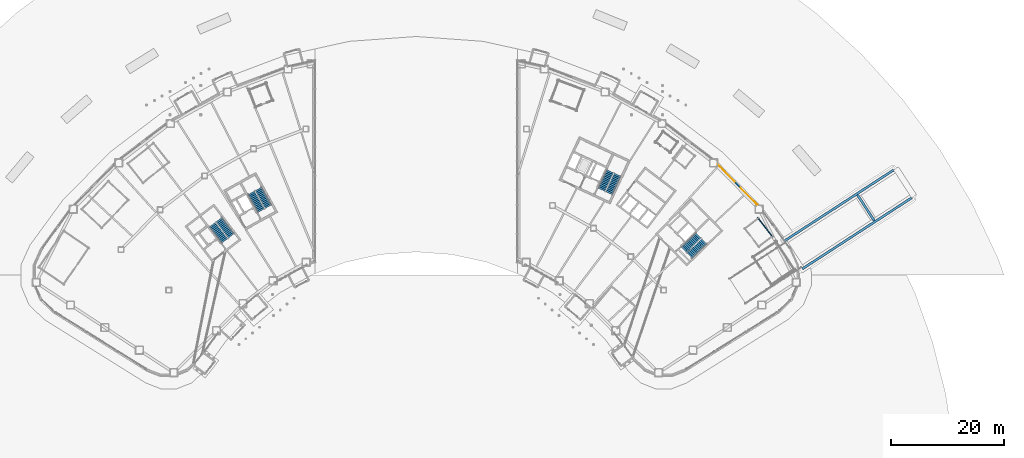
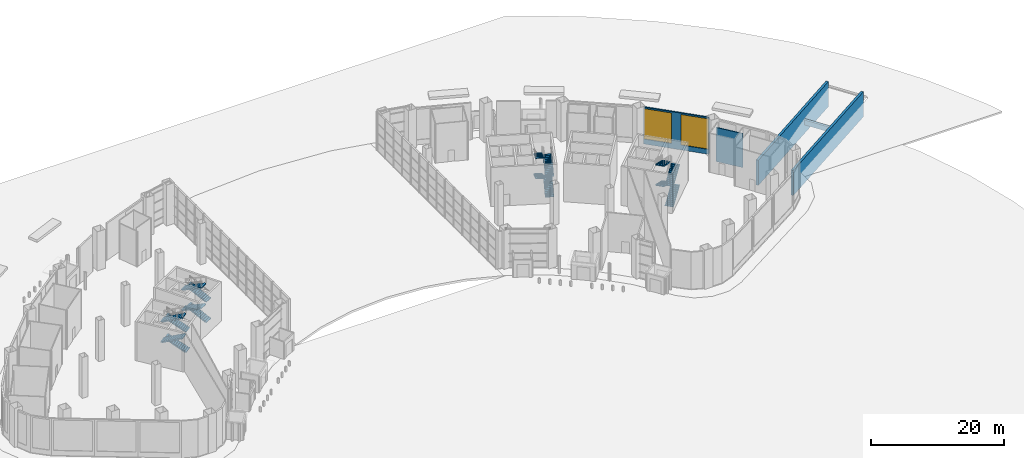
# One storey, part 36 of 45: 16 stair flights, 5 walls, 2 windows, 2 openings, 4 elements without a shape of their own.
"""IFC4 building model written with IfcOpenShell, lengths in metres."""

from ifc_helpers import new_model, si_unit, direction, frame, frame_2d, origin, place, context, subcontext, project, spatial, polyline, rectangle, outline, extrude, material, layer, layer_set, type_object, element, fill, aggregate, save


model = new_model("IFC4")

# Units and contexts
model_context = context("Model", 3, precision=1e-05, world=origin(), true_north=direction((0.0, 1.0)))
body_context = subcontext(model_context, "Body", "Model", "MODEL_VIEW")
ifc_project = project(units=[si_unit("LENGTHUNIT", "METRE"), si_unit("AREAUNIT", "SQUARE_METRE"), si_unit("VOLUMEUNIT", "CUBIC_METRE"), si_unit("PLANEANGLEUNIT", "RADIAN"), si_unit("MASSUNIT", "GRAM", prefix="KILO")], contexts=[model_context])

# Site, building, storey
site_placement = place(None, origin())
site = spatial("IfcSite", under=ifc_project, at=site_placement, CompositionType="ELEMENT")
building_placement = place(site_placement, origin())
building = spatial("IfcBuilding", under=site, at=building_placement, Name="Tuul Gate Civic Tower", CompositionType="ELEMENT")
storey_placement = place(building_placement, origin())
storey = spatial("IfcBuildingStorey", under=building, at=storey_placement, Name="Level 00", CompositionType="ELEMENT", Elevation=0.0)

# Wall, openings, windows
ifc_material_1 = material(Name="Precast concrete C40/50", Category="concrete")
ifc_layer_1 = layer(ifc_material_1, 0.25)
ifc_layer_set_1 = layer_set([ifc_layer_1], Name="Precast concrete C40/50")
wall_type_1 = type_object("IfcWallType", Name="External wall", PredefinedType="STANDARD", material=ifc_layer_set_1)
wall_1_placement = place(storey_placement, frame((60.72998046875, -7.6279296875, 0.0), z_axis=(0.0, 0.0, 1.0), x_axis=(-0.700010487511, 0.714132562886, 0.0)))
wall_1 = element("IfcWall", 1, at=wall_1_placement, inside=storey, type_object=wall_type_1, Name="External wall", PredefinedType="STANDARD", context=body_context, shape_type="SweptSolid", body=[
    extrude(rectangle(XDim=10.217041015625, YDim=0.25, at=frame_2d((5.1083984375, 0.0))), origin(), (0.0, 0.0, 1.0), 6.75),
])
opening_1_placement = place(wall_1_placement, frame((0.05908203125, 0.0, 0.89990234375)))
opening_1 = element("IfcOpeningElement", 2, at=opening_1_placement, cuts=wall_1, Name="Opening W6", PredefinedType="OPENING", context=body_context, shape_type="SweptSolid", body=[
    extrude(rectangle(XDim=4.300048828125, YDim=5.60009765625, at=frame_2d((2.14990234375, 2.800048828125))), frame((0.0, 0.135009765625, 0.0), z_axis=(0.0, -1.0, 0.0), x_axis=(1.0, 0.0, 0.0)), (0.0, 0.0, 1.0), 0.27001953125),
])
opening_2_placement = place(wall_1_placement, frame((5.864501953125, 0.0, 0.89990234375)))
opening_2 = element("IfcOpeningElement", 3, at=opening_2_placement, cuts=wall_1, Name="Opening W6", PredefinedType="OPENING", context=body_context, shape_type="SweptSolid", body=[
    extrude(rectangle(XDim=4.300048828125, YDim=5.60009765625, at=frame_2d((2.14990234375, 2.800048828125))), frame((0.0, 0.135009765625, 0.0), z_axis=(0.0, -1.0, 0.0), x_axis=(1.0, 0.0, 0.0)), (0.0, 0.0, 1.0), 0.27001953125),
])
ifc_material_2 = material(Name="Glass", Category="glass")
window_type = type_object("IfcWindowType", Name="Window W6 4300 x 5600", PartitioningType="SINGLE_PANEL", PredefinedType="WINDOW", material=ifc_material_2)
window_1_placement = place(opening_1_placement, origin())
window_1 = element("IfcWindow", 4, at=window_1_placement, inside=storey, type_object=window_type, Name="Window", OverallHeight=5.60009765625, OverallWidth=4.300048828125, PartitioningType="SINGLE_PANEL", PredefinedType="WINDOW", context=body_context, shape_type="SweptSolid", body=[
    extrude(rectangle(XDim=4.300048828125, YDim=5.60009765625, at=frame_2d((2.14990234375, 2.800048828125))), frame((0.0, 0.030029296875, 0.0), z_axis=(0.0, -1.0, 0.0), x_axis=(1.0, 0.0, 0.0)), (0.0, 0.0, 1.0), 0.06005859375),
])
fill(opening_1, window_1)
window_2_placement = place(opening_2_placement, origin())
window_2 = element("IfcWindow", 5, at=window_2_placement, inside=storey, type_object=window_type, Name="Window", OverallHeight=5.60009765625, OverallWidth=4.300048828125, PartitioningType="SINGLE_PANEL", PredefinedType="WINDOW", context=body_context, shape_type="SweptSolid", body=[
    extrude(rectangle(XDim=4.300048828125, YDim=5.60009765625, at=frame_2d((2.14990234375, 2.800048828125))), frame((0.0, 0.030029296875, 0.0), z_axis=(0.0, -1.0, 0.0), x_axis=(1.0, 0.0, 0.0)), (0.0, 0.0, 1.0), 0.06005859375),
])
fill(opening_2, window_2)

# Walls
ifc_material_3 = material(Name="Concrete block", Category="concrete")
ifc_layer_2 = layer(ifc_material_3, 0.14990234375)
ifc_layer_set_2 = layer_set([ifc_layer_2], Name="Concrete block")
wall_type_2 = type_object("IfcWallType", Name="Ground floor room wall 6250 HIGH", PredefinedType="PARTITIONING", material=ifc_layer_set_2)
wall_2_placement = place(storey_placement, frame((60.6953125, -9.819580078125, 0.0), z_axis=(0.0, 0.0, 1.0), x_axis=(0.615625526627, -0.788038838488, 0.0)))
element("IfcWall", 6, at=wall_2_placement, inside=storey, type_object=wall_type_2, Name="Room wall", PredefinedType="PARTITIONING", context=body_context, shape_type="SweptSolid", body=[
    extrude(rectangle(XDim=4.35009765625, YDim=0.14990234375, at=frame_2d((2.175048828125, 0.0))), origin(), (0.0, 0.0, 1.0), 6.25),
])
ifc_material_4 = material(Name="Concrete C40/50", Category="concrete")
ifc_layer_3 = layer(ifc_material_4, 0.39990234375)
ifc_layer_set_3 = layer_set([ifc_layer_3], Name="Concrete C40/50")
wall_type_3 = type_object("IfcWallType", Name="Ramp retaining wall", PredefinedType="SOLIDWALL", material=ifc_layer_set_3)
wall_3_placement = place(storey_placement, frame((88.09375, -6.30859375, -3.501708984375), z_axis=(0.0, 0.0, 1.0), x_axis=(-0.838667048018, -0.54464445519, 0.0)))
element("IfcWall", 7, at=wall_3_placement, inside=storey, type_object=wall_type_3, Name="Ramp retaining wall", PredefinedType="SOLIDWALL", context=body_context, shape_type="SweptSolid", body=[
    extrude(rectangle(XDim=23.2099609375, YDim=0.39990234375, at=frame_2d((11.60498046875, 0.0))), origin(), (0.0, 0.0, 1.0), 4.601806640625),
])
wall_4_placement = place(storey_placement, frame((84.88037109375, -1.360595703125, -3.501708984375), z_axis=(0.0, 0.0, 1.0), x_axis=(-0.838671852759, -0.54463705657, 0.0)))
element("IfcWall", 8, at=wall_4_placement, inside=storey, type_object=wall_type_3, Name="Ramp retaining wall", PredefinedType="SOLIDWALL", context=body_context, shape_type="SweptSolid", body=[
    extrude(rectangle(XDim=23.209716796875, YDim=0.39990234375, at=frame_2d((11.60498046875, 0.0))), origin(), (0.0, 0.0, 1.0), 4.601806640625),
])
ifc_material_5 = material(Name="Concrete C40/50", Category="concrete")
ifc_layer_4 = layer(ifc_material_5, 0.39990234375)
ifc_layer_set_4 = layer_set([ifc_layer_4], Name="Concrete C40/50")
wall_type_4 = type_object("IfcWallType", Name="Ramp support wall 900 HIGH", PredefinedType="SOLIDWALL", material=ifc_layer_set_4)
wall_5_placement = place(storey_placement, frame((78.448486328125, -5.779541015625, -1.865966796875), z_axis=(0.0, 0.0, 1.0), x_axis=(0.54466186671, -0.838655740427, 0.0)))
element("IfcWall", 9, at=wall_5_placement, inside=storey, type_object=wall_type_4, Name="Ramp support wall 900 HIGH", PredefinedType="SOLIDWALL", context=body_context, shape_type="SweptSolid", body=[
    extrude(rectangle(XDim=5.494140625, YDim=0.39990234375, at=frame_2d((2.7470703125, 0.0))), origin(), (0.0, 0.0, 1.0), 0.900146484375),
])

# Stair, stair flights
ifc_material_6 = material(Name="Concrete C40/50", Category="concrete")
stair_type = type_object("IfcStairType", Name="Exit stair", PredefinedType="HALF_TURN_STAIR", material=ifc_material_6)
stair_1_placement = place(storey_placement, origin())
stair_1 = element("IfcStair", 10, at=stair_1_placement, inside=storey, type_object=stair_type, Name="Level 00 ST-1", PredefinedType="HALF_TURN_STAIR")
ifc_material_7 = material(Name="Concrete C40/50", Category="concrete")
stair_flight_type = type_object("IfcStairFlightType", Name="Exit stair flight", PredefinedType="STRAIGHT", material=ifc_material_7)
stair_flight_1_placement = place(storey_placement, frame((-32.875244140625, -13.066650390625, 0.0), z_axis=(0.0, 0.0, 1.0), x_axis=(-0.605764474941, 0.795644016442, 0.0)))
stair_flight_1 = element("IfcStairFlight", 11, at=stair_flight_1_placement, type_object=stair_flight_type, Name="ST-1 flight 1", NumberOfRisers=13, NumberOfTreads=12, PredefinedType="STRAIGHT", RiserHeight=0.144230769, TreadLength=0.3, context=body_context, shape_type="SweptSolid", body=[
    extrude(outline(polyline([(0.0, 0.0), (0.0, 0.144287109375), (0.300048828125, 0.144287109375), (0.300048828125, 0.28857421875), (0.60009765625, 0.28857421875), (0.60009765625, 0.4326171875), (0.89990234375, 0.4326171875), (0.89990234375, 0.576904296875), (1.199951171875, 0.576904296875), (1.199951171875, 0.72119140625), (1.5, 0.72119140625), (1.5, 0.865478515625), (1.800048828125, 0.865478515625), (1.800048828125, 1.009521484375), (2.10009765625, 1.009521484375), (2.10009765625, 1.15380859375), (2.39990234375, 1.15380859375), (2.39990234375, 1.298095703125), (2.699951171875, 1.298095703125), (2.699951171875, 1.4423828125), (3.0, 1.4423828125), (3.0, 1.58642578125), (3.300048828125, 1.58642578125), (3.300048828125, 1.730712890625), (3.60009765625, 1.730712890625), (3.60009765625, 1.875), (3.60009765625, 1.564453125), (0.345947265625, 0.0), (0.0, 0.0)])), frame((0.0, 0.675048828125, 0.0), z_axis=(0.0, -1.0, 0.0), x_axis=(1.0, 0.0, 0.0)), (0.0, 0.0, 1.0), 1.35009765625),
])
stair_flight_2_placement = place(storey_placement, frame((-36.209716796875, -11.080810546875, 1.875), z_axis=(0.0, 0.0, 1.0), x_axis=(0.605764474941, -0.795644016442, 0.0)))
stair_flight_2 = element("IfcStairFlight", 12, at=stair_flight_2_placement, type_object=stair_flight_type, Name="ST-1 flight 2", NumberOfRisers=13, NumberOfTreads=12, PredefinedType="STRAIGHT", RiserHeight=0.144230769, TreadLength=0.3, context=body_context, shape_type="SweptSolid", body=[
    extrude(outline(polyline([(0.0, 0.0), (0.0, 0.144287109375), (0.300048828125, 0.144287109375), (0.300048828125, 0.28857421875), (0.60009765625, 0.28857421875), (0.60009765625, 0.4326171875), (0.89990234375, 0.4326171875), (0.89990234375, 0.576904296875), (1.199951171875, 0.576904296875), (1.199951171875, 0.72119140625), (1.5, 0.72119140625), (1.5, 0.865478515625), (1.800048828125, 0.865478515625), (1.800048828125, 1.009521484375), (2.10009765625, 1.009521484375), (2.10009765625, 1.15380859375), (2.39990234375, 1.15380859375), (2.39990234375, 1.298095703125), (2.699951171875, 1.298095703125), (2.699951171875, 1.4423828125), (3.0, 1.4423828125), (3.0, 1.58642578125), (3.300048828125, 1.58642578125), (3.300048828125, 1.730712890625), (3.60009765625, 1.730712890625), (3.60009765625, 1.875), (3.60009765625, 1.564453125), (0.345947265625, 0.0), (0.0, 0.0)])), frame((0.0, 0.675048828125, 0.0), z_axis=(0.0, -1.0, 0.0), x_axis=(1.0, 0.0, 0.0)), (0.0, 0.0, 1.0), 1.35009765625),
])
stair_flight_3_placement = place(storey_placement, frame((-32.875244140625, -13.066650390625, 3.75), z_axis=(0.0, 0.0, 1.0), x_axis=(-0.605764474941, 0.795644016442, 0.0)))
stair_flight_3 = element("IfcStairFlight", 13, at=stair_flight_3_placement, type_object=stair_flight_type, Name="ST-1 flight 3", NumberOfRisers=13, NumberOfTreads=12, PredefinedType="STRAIGHT", RiserHeight=0.144230769, TreadLength=0.3, context=body_context, shape_type="SweptSolid", body=[
    extrude(outline(polyline([(0.0, 0.0), (0.0, 0.144287109375), (0.300048828125, 0.144287109375), (0.300048828125, 0.28857421875), (0.60009765625, 0.28857421875), (0.60009765625, 0.4326171875), (0.89990234375, 0.4326171875), (0.89990234375, 0.576904296875), (1.199951171875, 0.576904296875), (1.199951171875, 0.72119140625), (1.5, 0.72119140625), (1.5, 0.865478515625), (1.800048828125, 0.865478515625), (1.800048828125, 1.009521484375), (2.10009765625, 1.009521484375), (2.10009765625, 1.15380859375), (2.39990234375, 1.15380859375), (2.39990234375, 1.298095703125), (2.699951171875, 1.298095703125), (2.699951171875, 1.4423828125), (3.0, 1.4423828125), (3.0, 1.58642578125), (3.300048828125, 1.58642578125), (3.300048828125, 1.730712890625), (3.60009765625, 1.730712890625), (3.60009765625, 1.875), (3.60009765625, 1.564453125), (0.345947265625, 0.0), (0.0, 0.0)])), frame((0.0, 0.675048828125, 0.0), z_axis=(0.0, -1.0, 0.0), x_axis=(1.0, 0.0, 0.0)), (0.0, 0.0, 1.0), 1.35009765625),
])
stair_flight_4_placement = place(storey_placement, frame((-36.209716796875, -11.080810546875, 5.625), z_axis=(0.0, 0.0, 1.0), x_axis=(0.605764474941, -0.795644016442, 0.0)))
stair_flight_4 = element("IfcStairFlight", 14, at=stair_flight_4_placement, type_object=stair_flight_type, Name="ST-1 flight 4", NumberOfRisers=13, NumberOfTreads=12, PredefinedType="STRAIGHT", RiserHeight=0.144230769, TreadLength=0.3, context=body_context, shape_type="SweptSolid", body=[
    extrude(outline(polyline([(0.0, 0.0), (0.0, 0.144287109375), (0.300048828125, 0.144287109375), (0.300048828125, 0.28857421875), (0.60009765625, 0.28857421875), (0.60009765625, 0.4326171875), (0.89990234375, 0.4326171875), (0.89990234375, 0.576904296875), (1.199951171875, 0.576904296875), (1.199951171875, 0.72119140625), (1.5, 0.72119140625), (1.5, 0.865478515625), (1.800048828125, 0.865478515625), (1.800048828125, 1.009521484375), (2.10009765625, 1.009521484375), (2.10009765625, 1.15380859375), (2.39990234375, 1.15380859375), (2.39990234375, 1.298095703125), (2.699951171875, 1.298095703125), (2.699951171875, 1.4423828125), (3.0, 1.4423828125), (3.0, 1.58642578125), (3.300048828125, 1.58642578125), (3.300048828125, 1.730712890625), (3.60009765625, 1.730712890625), (3.60009765625, 1.875), (3.60009765625, 1.564453125), (0.345947265625, 0.0), (0.0, 0.0)])), frame((0.0, 0.675048828125, 0.0), z_axis=(0.0, -1.0, 0.0), x_axis=(1.0, 0.0, 0.0)), (0.0, 0.0, 1.0), 1.35009765625),
])
aggregate(stair_1, [stair_flight_1, stair_flight_2, stair_flight_3, stair_flight_4])

stair_2_placement = place(storey_placement, origin())
stair_2 = element("IfcStair", 15, at=stair_2_placement, inside=storey, type_object=stair_type, Name="Level 00 ST-2", PredefinedType="HALF_TURN_STAIR")
stair_flight_5_placement = place(storey_placement, frame((-26.29150390625, -7.87646484375, 0.0), z_axis=(0.0, 0.0, 1.0), x_axis=(-0.484761763766, 0.874646232708, 0.0)))
stair_flight_5 = element("IfcStairFlight", 16, at=stair_flight_5_placement, type_object=stair_flight_type, Name="ST-2 flight 1", NumberOfRisers=13, NumberOfTreads=12, PredefinedType="STRAIGHT", RiserHeight=0.144230769, TreadLength=0.3, context=body_context, shape_type="SweptSolid", body=[
    extrude(outline(polyline([(0.0, 0.0), (0.0, 0.144287109375), (0.300048828125, 0.144287109375), (0.300048828125, 0.28857421875), (0.60009765625, 0.28857421875), (0.60009765625, 0.4326171875), (0.89990234375, 0.4326171875), (0.89990234375, 0.576904296875), (1.199951171875, 0.576904296875), (1.199951171875, 0.72119140625), (1.5, 0.72119140625), (1.5, 0.865478515625), (1.800048828125, 0.865478515625), (1.800048828125, 1.009521484375), (2.10009765625, 1.009521484375), (2.10009765625, 1.15380859375), (2.39990234375, 1.15380859375), (2.39990234375, 1.298095703125), (2.699951171875, 1.298095703125), (2.699951171875, 1.4423828125), (3.0, 1.4423828125), (3.0, 1.58642578125), (3.300048828125, 1.58642578125), (3.300048828125, 1.730712890625), (3.60009765625, 1.730712890625), (3.60009765625, 1.875), (3.60009765625, 1.564453125), (0.345947265625, 0.0), (0.0, 0.0)])), frame((0.0, 0.675048828125, 0.0), z_axis=(0.0, -1.0, 0.0), x_axis=(1.0, 0.0, 0.0)), (0.0, 0.0, 1.0), 1.35009765625),
])
stair_flight_6_placement = place(storey_placement, frame((-29.304931640625, -5.4306640625, 1.875), z_axis=(0.0, 0.0, 1.0), x_axis=(0.484761763766, -0.874646232708, 0.0)))
stair_flight_6 = element("IfcStairFlight", 17, at=stair_flight_6_placement, type_object=stair_flight_type, Name="ST-2 flight 2", NumberOfRisers=13, NumberOfTreads=12, PredefinedType="STRAIGHT", RiserHeight=0.144230769, TreadLength=0.3, context=body_context, shape_type="SweptSolid", body=[
    extrude(outline(polyline([(0.0, 0.0), (0.0, 0.144287109375), (0.300048828125, 0.144287109375), (0.300048828125, 0.28857421875), (0.60009765625, 0.28857421875), (0.60009765625, 0.4326171875), (0.89990234375, 0.4326171875), (0.89990234375, 0.576904296875), (1.199951171875, 0.576904296875), (1.199951171875, 0.72119140625), (1.5, 0.72119140625), (1.5, 0.865478515625), (1.800048828125, 0.865478515625), (1.800048828125, 1.009521484375), (2.10009765625, 1.009521484375), (2.10009765625, 1.15380859375), (2.39990234375, 1.15380859375), (2.39990234375, 1.298095703125), (2.699951171875, 1.298095703125), (2.699951171875, 1.4423828125), (3.0, 1.4423828125), (3.0, 1.58642578125), (3.300048828125, 1.58642578125), (3.300048828125, 1.730712890625), (3.60009765625, 1.730712890625), (3.60009765625, 1.875), (3.60009765625, 1.564453125), (0.345947265625, 0.0), (0.0, 0.0)])), frame((0.0, 0.675048828125, 0.0), z_axis=(0.0, -1.0, 0.0), x_axis=(1.0, 0.0, 0.0)), (0.0, 0.0, 1.0), 1.35009765625),
])
stair_flight_7_placement = place(storey_placement, frame((-26.29150390625, -7.87646484375, 3.75), z_axis=(0.0, 0.0, 1.0), x_axis=(-0.484761763766, 0.874646232708, 0.0)))
stair_flight_7 = element("IfcStairFlight", 18, at=stair_flight_7_placement, type_object=stair_flight_type, Name="ST-2 flight 3", NumberOfRisers=13, NumberOfTreads=12, PredefinedType="STRAIGHT", RiserHeight=0.144230769, TreadLength=0.3, context=body_context, shape_type="SweptSolid", body=[
    extrude(outline(polyline([(0.0, 0.0), (0.0, 0.144287109375), (0.300048828125, 0.144287109375), (0.300048828125, 0.28857421875), (0.60009765625, 0.28857421875), (0.60009765625, 0.4326171875), (0.89990234375, 0.4326171875), (0.89990234375, 0.576904296875), (1.199951171875, 0.576904296875), (1.199951171875, 0.72119140625), (1.5, 0.72119140625), (1.5, 0.865478515625), (1.800048828125, 0.865478515625), (1.800048828125, 1.009521484375), (2.10009765625, 1.009521484375), (2.10009765625, 1.15380859375), (2.39990234375, 1.15380859375), (2.39990234375, 1.298095703125), (2.699951171875, 1.298095703125), (2.699951171875, 1.4423828125), (3.0, 1.4423828125), (3.0, 1.58642578125), (3.300048828125, 1.58642578125), (3.300048828125, 1.730712890625), (3.60009765625, 1.730712890625), (3.60009765625, 1.875), (3.60009765625, 1.564453125), (0.345947265625, 0.0), (0.0, 0.0)])), frame((0.0, 0.675048828125, 0.0), z_axis=(0.0, -1.0, 0.0), x_axis=(1.0, 0.0, 0.0)), (0.0, 0.0, 1.0), 1.35009765625),
])
stair_flight_8_placement = place(storey_placement, frame((-29.304931640625, -5.4306640625, 5.625), z_axis=(0.0, 0.0, 1.0), x_axis=(0.484761763766, -0.874646232708, 0.0)))
stair_flight_8 = element("IfcStairFlight", 19, at=stair_flight_8_placement, type_object=stair_flight_type, Name="ST-2 flight 4", NumberOfRisers=13, NumberOfTreads=12, PredefinedType="STRAIGHT", RiserHeight=0.144230769, TreadLength=0.3, context=body_context, shape_type="SweptSolid", body=[
    extrude(outline(polyline([(0.0, 0.0), (0.0, 0.144287109375), (0.300048828125, 0.144287109375), (0.300048828125, 0.28857421875), (0.60009765625, 0.28857421875), (0.60009765625, 0.4326171875), (0.89990234375, 0.4326171875), (0.89990234375, 0.576904296875), (1.199951171875, 0.576904296875), (1.199951171875, 0.72119140625), (1.5, 0.72119140625), (1.5, 0.865478515625), (1.800048828125, 0.865478515625), (1.800048828125, 1.009521484375), (2.10009765625, 1.009521484375), (2.10009765625, 1.15380859375), (2.39990234375, 1.15380859375), (2.39990234375, 1.298095703125), (2.699951171875, 1.298095703125), (2.699951171875, 1.4423828125), (3.0, 1.4423828125), (3.0, 1.58642578125), (3.300048828125, 1.58642578125), (3.300048828125, 1.730712890625), (3.60009765625, 1.730712890625), (3.60009765625, 1.875), (3.60009765625, 1.564453125), (0.345947265625, 0.0), (0.0, 0.0)])), frame((0.0, 0.675048828125, 0.0), z_axis=(0.0, -1.0, 0.0), x_axis=(1.0, 0.0, 0.0)), (0.0, 0.0, 1.0), 1.35009765625),
])
aggregate(stair_2, [stair_flight_5, stair_flight_6, stair_flight_7, stair_flight_8])

stair_3_placement = place(storey_placement, origin())
stair_3 = element("IfcStair", 20, at=stair_3_placement, inside=storey, type_object=stair_type, Name="Level 00 ST-3", PredefinedType="HALF_TURN_STAIR")
stair_flight_9_placement = place(storey_placement, frame((48.61376953125, -16.581787109375, 0.0), z_axis=(0.0, 0.0, 1.0), x_axis=(0.714127290059, 0.700015866672, 0.0)))
stair_flight_9 = element("IfcStairFlight", 21, at=stair_flight_9_placement, type_object=stair_flight_type, Name="ST-3 flight 1", NumberOfRisers=13, NumberOfTreads=12, PredefinedType="STRAIGHT", RiserHeight=0.144230769, TreadLength=0.3, context=body_context, shape_type="SweptSolid", body=[
    extrude(outline(polyline([(0.0, 0.0), (0.0, 0.144287109375), (0.300048828125, 0.144287109375), (0.300048828125, 0.28857421875), (0.60009765625, 0.28857421875), (0.60009765625, 0.4326171875), (0.89990234375, 0.4326171875), (0.89990234375, 0.576904296875), (1.199951171875, 0.576904296875), (1.199951171875, 0.72119140625), (1.5, 0.72119140625), (1.5, 0.865478515625), (1.800048828125, 0.865478515625), (1.800048828125, 1.009521484375), (2.10009765625, 1.009521484375), (2.10009765625, 1.15380859375), (2.39990234375, 1.15380859375), (2.39990234375, 1.298095703125), (2.699951171875, 1.298095703125), (2.699951171875, 1.4423828125), (3.0, 1.4423828125), (3.0, 1.58642578125), (3.300048828125, 1.58642578125), (3.300048828125, 1.730712890625), (3.60009765625, 1.730712890625), (3.60009765625, 1.875), (3.60009765625, 1.564453125), (0.345947265625, 0.0), (0.0, 0.0)])), frame((0.0, 0.675048828125, 0.0), z_axis=(0.0, -1.0, 0.0), x_axis=(1.0, 0.0, 0.0)), (0.0, 0.0, 1.0), 1.35009765625),
])
stair_flight_10_placement = place(storey_placement, frame((50.169677734375, -13.026123046875, 1.875), z_axis=(0.0, 0.0, 1.0), x_axis=(-0.714127290059, -0.700015866672, 0.0)))
stair_flight_10 = element("IfcStairFlight", 22, at=stair_flight_10_placement, type_object=stair_flight_type, Name="ST-3 flight 2", NumberOfRisers=13, NumberOfTreads=12, PredefinedType="STRAIGHT", RiserHeight=0.144230769, TreadLength=0.3, context=body_context, shape_type="SweptSolid", body=[
    extrude(outline(polyline([(0.0, 0.0), (0.0, 0.144287109375), (0.300048828125, 0.144287109375), (0.300048828125, 0.28857421875), (0.60009765625, 0.28857421875), (0.60009765625, 0.4326171875), (0.89990234375, 0.4326171875), (0.89990234375, 0.576904296875), (1.199951171875, 0.576904296875), (1.199951171875, 0.72119140625), (1.5, 0.72119140625), (1.5, 0.865478515625), (1.800048828125, 0.865478515625), (1.800048828125, 1.009521484375), (2.10009765625, 1.009521484375), (2.10009765625, 1.15380859375), (2.39990234375, 1.15380859375), (2.39990234375, 1.298095703125), (2.699951171875, 1.298095703125), (2.699951171875, 1.4423828125), (3.0, 1.4423828125), (3.0, 1.58642578125), (3.300048828125, 1.58642578125), (3.300048828125, 1.730712890625), (3.60009765625, 1.730712890625), (3.60009765625, 1.875), (3.60009765625, 1.564453125), (0.345947265625, 0.0), (0.0, 0.0)])), frame((0.0, 0.675048828125, 0.0), z_axis=(0.0, -1.0, 0.0), x_axis=(1.0, 0.0, 0.0)), (0.0, 0.0, 1.0), 1.35009765625),
])
stair_flight_11_placement = place(storey_placement, frame((48.61376953125, -16.581787109375, 3.75), z_axis=(0.0, 0.0, 1.0), x_axis=(0.714127290059, 0.700015866672, 0.0)))
stair_flight_11 = element("IfcStairFlight", 23, at=stair_flight_11_placement, type_object=stair_flight_type, Name="ST-3 flight 3", NumberOfRisers=13, NumberOfTreads=12, PredefinedType="STRAIGHT", RiserHeight=0.144230769, TreadLength=0.3, context=body_context, shape_type="SweptSolid", body=[
    extrude(outline(polyline([(0.0, 0.0), (0.0, 0.144287109375), (0.300048828125, 0.144287109375), (0.300048828125, 0.28857421875), (0.60009765625, 0.28857421875), (0.60009765625, 0.4326171875), (0.89990234375, 0.4326171875), (0.89990234375, 0.576904296875), (1.199951171875, 0.576904296875), (1.199951171875, 0.72119140625), (1.5, 0.72119140625), (1.5, 0.865478515625), (1.800048828125, 0.865478515625), (1.800048828125, 1.009521484375), (2.10009765625, 1.009521484375), (2.10009765625, 1.15380859375), (2.39990234375, 1.15380859375), (2.39990234375, 1.298095703125), (2.699951171875, 1.298095703125), (2.699951171875, 1.4423828125), (3.0, 1.4423828125), (3.0, 1.58642578125), (3.300048828125, 1.58642578125), (3.300048828125, 1.730712890625), (3.60009765625, 1.730712890625), (3.60009765625, 1.875), (3.60009765625, 1.564453125), (0.345947265625, 0.0), (0.0, 0.0)])), frame((0.0, 0.675048828125, 0.0), z_axis=(0.0, -1.0, 0.0), x_axis=(1.0, 0.0, 0.0)), (0.0, 0.0, 1.0), 1.35009765625),
])
stair_flight_12_placement = place(storey_placement, frame((50.169677734375, -13.026123046875, 5.625), z_axis=(0.0, 0.0, 1.0), x_axis=(-0.714127290059, -0.700015866672, 0.0)))
stair_flight_12 = element("IfcStairFlight", 24, at=stair_flight_12_placement, type_object=stair_flight_type, Name="ST-3 flight 4", NumberOfRisers=13, NumberOfTreads=12, PredefinedType="STRAIGHT", RiserHeight=0.144230769, TreadLength=0.3, context=body_context, shape_type="SweptSolid", body=[
    extrude(outline(polyline([(0.0, 0.0), (0.0, 0.144287109375), (0.300048828125, 0.144287109375), (0.300048828125, 0.28857421875), (0.60009765625, 0.28857421875), (0.60009765625, 0.4326171875), (0.89990234375, 0.4326171875), (0.89990234375, 0.576904296875), (1.199951171875, 0.576904296875), (1.199951171875, 0.72119140625), (1.5, 0.72119140625), (1.5, 0.865478515625), (1.800048828125, 0.865478515625), (1.800048828125, 1.009521484375), (2.10009765625, 1.009521484375), (2.10009765625, 1.15380859375), (2.39990234375, 1.15380859375), (2.39990234375, 1.298095703125), (2.699951171875, 1.298095703125), (2.699951171875, 1.4423828125), (3.0, 1.4423828125), (3.0, 1.58642578125), (3.300048828125, 1.58642578125), (3.300048828125, 1.730712890625), (3.60009765625, 1.730712890625), (3.60009765625, 1.875), (3.60009765625, 1.564453125), (0.345947265625, 0.0), (0.0, 0.0)])), frame((0.0, 0.675048828125, 0.0), z_axis=(0.0, -1.0, 0.0), x_axis=(1.0, 0.0, 0.0)), (0.0, 0.0, 1.0), 1.35009765625),
])
aggregate(stair_3, [stair_flight_9, stair_flight_10, stair_flight_11, stair_flight_12])

stair_4_placement = place(storey_placement, origin())
stair_4 = element("IfcStair", 25, at=stair_4_placement, inside=storey, type_object=stair_type, Name="Level 00 ST-4", PredefinedType="HALF_TURN_STAIR")
stair_flight_13_placement = place(storey_placement, frame((34.278564453125, -5.478515625, 0.0), z_axis=(0.0, 0.0, 1.0), x_axis=(0.422576295988, 0.906327354806, 0.0)))
stair_flight_13 = element("IfcStairFlight", 26, at=stair_flight_13_placement, type_object=stair_flight_type, Name="ST-4 flight 1", NumberOfRisers=13, NumberOfTreads=12, PredefinedType="STRAIGHT", RiserHeight=0.144230769, TreadLength=0.3, context=body_context, shape_type="SweptSolid", body=[
    extrude(outline(polyline([(0.0, 0.0), (0.0, 0.144287109375), (0.300048828125, 0.144287109375), (0.300048828125, 0.28857421875), (0.60009765625, 0.28857421875), (0.60009765625, 0.4326171875), (0.89990234375, 0.4326171875), (0.89990234375, 0.576904296875), (1.199951171875, 0.576904296875), (1.199951171875, 0.72119140625), (1.5, 0.72119140625), (1.5, 0.865478515625), (1.800048828125, 0.865478515625), (1.800048828125, 1.009521484375), (2.10009765625, 1.009521484375), (2.10009765625, 1.15380859375), (2.39990234375, 1.15380859375), (2.39990234375, 1.298095703125), (2.699951171875, 1.298095703125), (2.699951171875, 1.4423828125), (3.0, 1.4423828125), (3.0, 1.58642578125), (3.300048828125, 1.58642578125), (3.300048828125, 1.730712890625), (3.60009765625, 1.730712890625), (3.60009765625, 1.875), (3.60009765625, 1.564453125), (0.345947265625, 0.0), (0.0, 0.0)])), frame((0.0, 0.675048828125, 0.0), z_axis=(0.0, -1.0, 0.0), x_axis=(1.0, 0.0, 0.0)), (0.0, 0.0, 1.0), 1.35009765625),
])
stair_flight_14_placement = place(storey_placement, frame((34.485595703125, -1.60302734375, 1.875), z_axis=(0.0, 0.0, 1.0), x_axis=(-0.422576295988, -0.906327354806, 0.0)))
stair_flight_14 = element("IfcStairFlight", 27, at=stair_flight_14_placement, type_object=stair_flight_type, Name="ST-4 flight 2", NumberOfRisers=13, NumberOfTreads=12, PredefinedType="STRAIGHT", RiserHeight=0.144230769, TreadLength=0.3, context=body_context, shape_type="SweptSolid", body=[
    extrude(outline(polyline([(0.0, 0.0), (0.0, 0.144287109375), (0.300048828125, 0.144287109375), (0.300048828125, 0.28857421875), (0.60009765625, 0.28857421875), (0.60009765625, 0.4326171875), (0.89990234375, 0.4326171875), (0.89990234375, 0.576904296875), (1.199951171875, 0.576904296875), (1.199951171875, 0.72119140625), (1.5, 0.72119140625), (1.5, 0.865478515625), (1.800048828125, 0.865478515625), (1.800048828125, 1.009521484375), (2.10009765625, 1.009521484375), (2.10009765625, 1.15380859375), (2.39990234375, 1.15380859375), (2.39990234375, 1.298095703125), (2.699951171875, 1.298095703125), (2.699951171875, 1.4423828125), (3.0, 1.4423828125), (3.0, 1.58642578125), (3.300048828125, 1.58642578125), (3.300048828125, 1.730712890625), (3.60009765625, 1.730712890625), (3.60009765625, 1.875), (3.60009765625, 1.564453125), (0.345947265625, 0.0), (0.0, 0.0)])), frame((0.0, 0.675048828125, 0.0), z_axis=(0.0, -1.0, 0.0), x_axis=(1.0, 0.0, 0.0)), (0.0, 0.0, 1.0), 1.35009765625),
])
stair_flight_15_placement = place(storey_placement, frame((34.278564453125, -5.478515625, 3.75), z_axis=(0.0, 0.0, 1.0), x_axis=(0.422576295988, 0.906327354806, 0.0)))
stair_flight_15 = element("IfcStairFlight", 28, at=stair_flight_15_placement, type_object=stair_flight_type, Name="ST-4 flight 3", NumberOfRisers=13, NumberOfTreads=12, PredefinedType="STRAIGHT", RiserHeight=0.144230769, TreadLength=0.3, context=body_context, shape_type="SweptSolid", body=[
    extrude(outline(polyline([(0.0, 0.0), (0.0, 0.144287109375), (0.300048828125, 0.144287109375), (0.300048828125, 0.28857421875), (0.60009765625, 0.28857421875), (0.60009765625, 0.4326171875), (0.89990234375, 0.4326171875), (0.89990234375, 0.576904296875), (1.199951171875, 0.576904296875), (1.199951171875, 0.72119140625), (1.5, 0.72119140625), (1.5, 0.865478515625), (1.800048828125, 0.865478515625), (1.800048828125, 1.009521484375), (2.10009765625, 1.009521484375), (2.10009765625, 1.15380859375), (2.39990234375, 1.15380859375), (2.39990234375, 1.298095703125), (2.699951171875, 1.298095703125), (2.699951171875, 1.4423828125), (3.0, 1.4423828125), (3.0, 1.58642578125), (3.300048828125, 1.58642578125), (3.300048828125, 1.730712890625), (3.60009765625, 1.730712890625), (3.60009765625, 1.875), (3.60009765625, 1.564453125), (0.345947265625, 0.0), (0.0, 0.0)])), frame((0.0, 0.675048828125, 0.0), z_axis=(0.0, -1.0, 0.0), x_axis=(1.0, 0.0, 0.0)), (0.0, 0.0, 1.0), 1.35009765625),
])
stair_flight_16_placement = place(storey_placement, frame((34.485595703125, -1.60302734375, 5.625), z_axis=(0.0, 0.0, 1.0), x_axis=(-0.422576295988, -0.906327354806, 0.0)))
stair_flight_16 = element("IfcStairFlight", 29, at=stair_flight_16_placement, type_object=stair_flight_type, Name="ST-4 flight 4", NumberOfRisers=13, NumberOfTreads=12, PredefinedType="STRAIGHT", RiserHeight=0.144230769, TreadLength=0.3, context=body_context, shape_type="SweptSolid", body=[
    extrude(outline(polyline([(0.0, 0.0), (0.0, 0.144287109375), (0.300048828125, 0.144287109375), (0.300048828125, 0.28857421875), (0.60009765625, 0.28857421875), (0.60009765625, 0.4326171875), (0.89990234375, 0.4326171875), (0.89990234375, 0.576904296875), (1.199951171875, 0.576904296875), (1.199951171875, 0.72119140625), (1.5, 0.72119140625), (1.5, 0.865478515625), (1.800048828125, 0.865478515625), (1.800048828125, 1.009521484375), (2.10009765625, 1.009521484375), (2.10009765625, 1.15380859375), (2.39990234375, 1.15380859375), (2.39990234375, 1.298095703125), (2.699951171875, 1.298095703125), (2.699951171875, 1.4423828125), (3.0, 1.4423828125), (3.0, 1.58642578125), (3.300048828125, 1.58642578125), (3.300048828125, 1.730712890625), (3.60009765625, 1.730712890625), (3.60009765625, 1.875), (3.60009765625, 1.564453125), (0.345947265625, 0.0), (0.0, 0.0)])), frame((0.0, 0.675048828125, 0.0), z_axis=(0.0, -1.0, 0.0), x_axis=(1.0, 0.0, 0.0)), (0.0, 0.0, 1.0), 1.35009765625),
])
aggregate(stair_4, [stair_flight_13, stair_flight_14, stair_flight_15, stair_flight_16])

save(model, "model.ifc")
